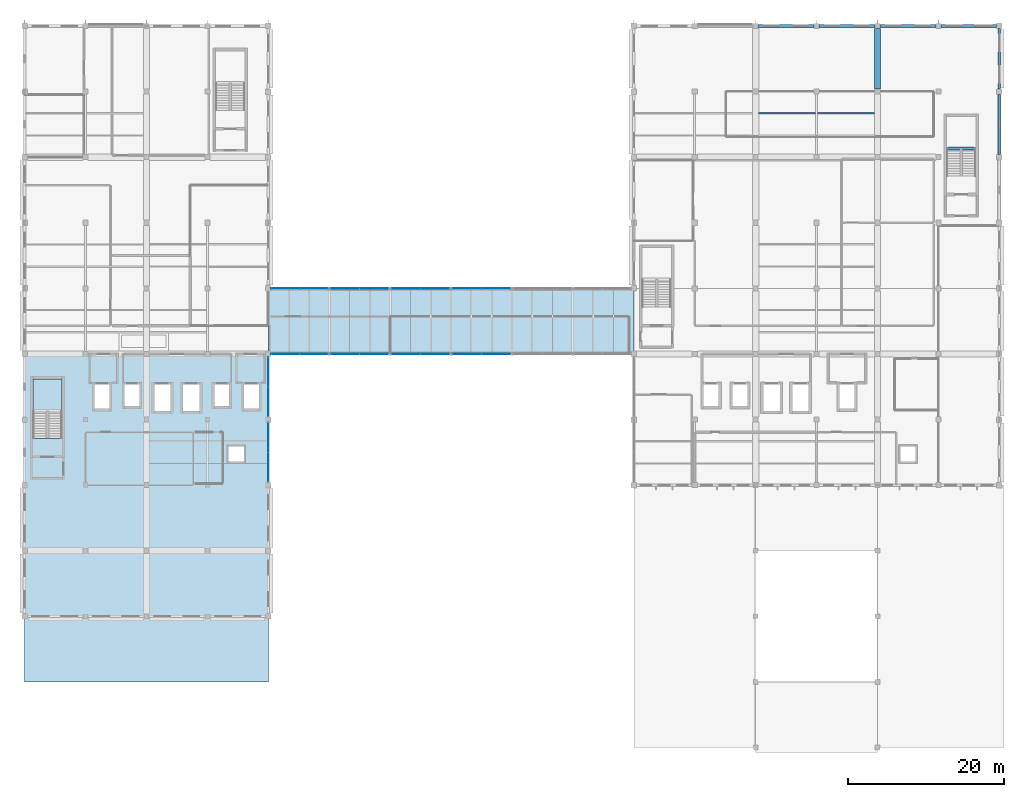
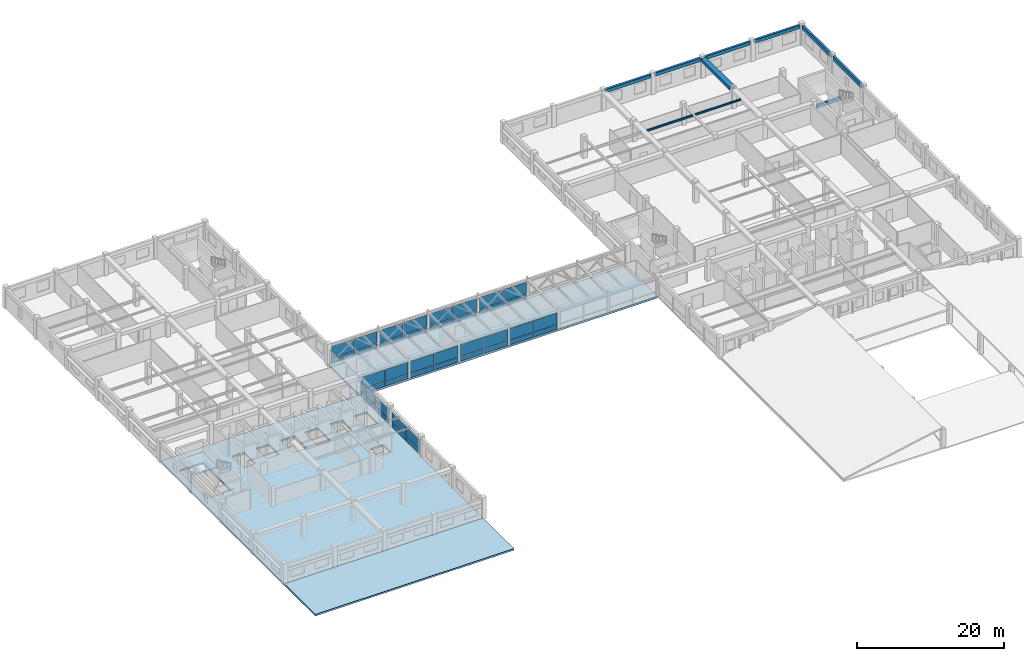
# One storey, part 28 of 49: 40 plates, 10 beams, 4 slabs, 11 elements without a shape of their own.
"""IFC4 building model written with IfcOpenShell, lengths in metres."""

from ifc_helpers import new_model, si_unit, direction, frame, origin, origin_2d, place, context, subcontext, project, spatial, polyline, rectangle, i_section, outline, extrude, material, layer, layer_set, material_profile, profile_set, type_object, element, aggregate, save


model = new_model("IFC4")

# Units and contexts
model_context = context("Model", 3, precision=1e-05, world=origin(), true_north=direction((0.0, 1.0)))
body_context = subcontext(model_context, "Body", "Model", "MODEL_VIEW")
ifc_project = project(units=[si_unit("LENGTHUNIT", "METRE"), si_unit("AREAUNIT", "SQUARE_METRE"), si_unit("VOLUMEUNIT", "CUBIC_METRE"), si_unit("PLANEANGLEUNIT", "RADIAN"), si_unit("MASSUNIT", "GRAM", prefix="KILO"), si_unit("THERMODYNAMICTEMPERATUREUNIT", "KELVIN"), si_unit("POWERUNIT", "WATT")], contexts=[model_context])

# Site, building, storey
site_placement = place(None, origin())
site = spatial("IfcSite", under=ifc_project, at=site_placement, CompositionType="ELEMENT")
building_placement = place(site_placement, origin())
building = spatial("IfcBuilding", under=site, at=building_placement, Name="Srebrne Nadtorze General Hospital", CompositionType="ELEMENT")
storey_placement = place(building_placement, frame((0.0, 0.0, 26.10009765625)))
storey = spatial("IfcBuildingStorey", under=building, at=storey_placement, Name="L06", CompositionType="ELEMENT", Elevation=26.10009765625)

# Beams
ifc_material_1 = material(Name="Steel S355J2", Category="steel")
ifc_material_profile_1 = material_profile(ifc_material_1, i_section(OverallWidth=0.159912109375, OverallDepth=0.330078125, WebThickness=0.007568359375, FlangeThickness=0.011474609375, FilletRadius=0.01806640625, at=origin_2d()), Name="IPE-330")
ifc_profile_set_1 = profile_set([ifc_material_profile_1], Name="Steel S355J2")
beam_type_1 = type_object("IfcBeamType", Name="Deck joist IPE 330", PredefinedType="JOIST", material=ifc_profile_set_1)
beam_1_placement = place(storey_placement, frame((117.39501953125, 81.22802734375, 3.135009765625), z_axis=(1.0, 0.0, 0.0), x_axis=(0.0, 1.0, 0.0)))
element("IfcBeam", 1, at=beam_1_placement, inside=storey, type_object=beam_type_1, Name="Interstitial deck joist SJ-L06-0143", PredefinedType="JOIST", context=body_context, shape_type="SweptSolid", body=[
    extrude(i_section(OverallWidth=0.159912109375, OverallDepth=0.330078125, WebThickness=0.007568359375, FlangeThickness=0.011474609375, FilletRadius=0.01806640625, at=origin_2d()), origin(), (0.0, 0.0, 1.0), 7.27001953125),
])
ifc_material_2 = material(Name="Concrete C35/45", Category="concrete")
ifc_material_profile_2 = material_profile(ifc_material_2, rectangle(XDim=0.35009765625, YDim=0.64990234375, at=origin_2d()), Name="RC-BM-350x650")
ifc_profile_set_2 = profile_set([ifc_material_profile_2], Name="Concrete C35/45")
beam_type_2 = type_object("IfcBeamType", Name="Edge beam RC 350x650", PredefinedType="BEAM", material=ifc_profile_set_2)
for number, where, z_axis, x_axis, name in (
    (2, (148.199951171875, 75.949951171875, 2.974853515625), (0.0, 1.0, 0.0), (-1.0, 0.0, 0.0), "Beam BM-L06-Y-1247"),
    (3, (148.199951171875, 84.35009765625, 2.974853515625), (0.0, 1.0, 0.0), (-1.0, 0.0, 0.0), "Beam BM-L06-Y-1248"),
):
    element("IfcBeam", number, at=place(storey_placement, frame(where, z_axis=z_axis, x_axis=x_axis)), inside=storey, type_object=beam_type_2, Name=name, PredefinedType="BEAM", context=body_context, shape_type="SweptSolid", body=[
        extrude(rectangle(XDim=0.35009765625, YDim=0.64990234375, at=origin_2d()), origin(), (0.0, 0.0, 1.0), 7.699951171875),
    ])
ifc_material_3 = material(Name="Concrete C40/50", Category="concrete")
ifc_material_profile_3 = material_profile(ifc_material_3, rectangle(XDim=0.800048828125, YDim=0.5, at=origin_2d()), Name="RC-BM-800x500")
ifc_profile_set_3 = profile_set([ifc_material_profile_3], Name="Concrete C40/50")
beam_type_3 = type_object("IfcBeamType", Name="Primary beam RC 800x500", PredefinedType="BEAM", material=ifc_profile_set_3)
beam_2_placement = place(storey_placement, frame((132.60009765625, 84.324951171875, 3.0498046875), z_axis=(0.0, 1.0, 0.0), x_axis=(-1.0, 0.0, 0.0)))
element("IfcBeam", 4, at=beam_2_placement, inside=storey, type_object=beam_type_3, Name="Beam BM-L06-Y-1241", PredefinedType="BEAM", context=body_context, shape_type="SweptSolid", body=[
    extrude(rectangle(XDim=0.800048828125, YDim=0.5, at=origin_2d()), origin(), (0.0, 0.0, 1.0), 7.75),
])
ifc_material_4 = material(Name="Steel S355J2", Category="steel")
ifc_material_profile_4 = material_profile(ifc_material_4, i_section(OverallWidth=0.14990234375, OverallDepth=0.300048828125, WebThickness=0.007080078125, FlangeThickness=0.0107421875, FilletRadius=0.014892578125, at=origin_2d()), Name="IPE-300")
ifc_profile_set_4 = profile_set([ifc_material_profile_4], Name="Steel S355J2")
beam_type_4 = type_object("IfcBeamType", Name="Secondary joist IPE 300", PredefinedType="JOIST", material=ifc_profile_set_4)
beam_3_placement = place(storey_placement, frame((124.93505859375, 81.22802734375, 3.14990234375), z_axis=(1.0, 0.0, 0.0), x_axis=(0.0, 1.0, 0.0)))
element("IfcBeam", 5, at=beam_3_placement, inside=storey, type_object=beam_type_4, Name="Interstitial deck joist SJ-L06-0151", PredefinedType="JOIST", context=body_context, shape_type="SweptSolid", body=[
    extrude(i_section(OverallWidth=0.14990234375, OverallDepth=0.300048828125, WebThickness=0.007080078125, FlangeThickness=0.0107421875, FilletRadius=0.014892578125, at=origin_2d()), origin(), (0.0, 0.0, 1.0), 7.27001953125),
])
ifc_material_5 = material(Name="Concrete C35/45", Category="concrete")
ifc_material_profile_5 = material_profile(ifc_material_5, rectangle(XDim=0.35009765625, YDim=0.550048828125, at=origin_2d()), Name="RC-BM-350x550")
ifc_profile_set_5 = profile_set([ifc_material_profile_5], Name="Concrete C35/45")
beam_type_5 = type_object("IfcBeamType", Name="Spandrel lintel beam RC 350x550", PredefinedType="LINTEL", material=ifc_profile_set_5)
beam_4_placement = place(storey_placement, frame((117.324951171875, 92.39990234375, 3.02490234375), z_axis=(1.0, 0.0, 0.0), x_axis=(0.0, 1.0, 0.0)))
element("IfcBeam", 6, at=beam_4_placement, inside=storey, type_object=beam_type_5, Name="Beam BM-L06-X-1187", PredefinedType="LINTEL", context=body_context, shape_type="SweptSolid", body=[
    extrude(rectangle(XDim=0.35009765625, YDim=0.550048828125, at=origin_2d()), origin(), (0.0, 0.0, 1.0), 7.150146484375),
])
for number, where, z_axis, x_axis, name in (
    (7, (125.125, 92.39990234375, 3.02490234375), (1.0, 0.0, 0.0), (0.0, 1.0, 0.0), "Beam BM-L06-X-1188"),
    (8, (132.925048828125, 92.39990234375, 3.02490234375), (1.0, 0.0, 0.0), (0.0, 1.0, 0.0), "Beam BM-L06-X-1189"),
):
    element("IfcBeam", number, at=place(storey_placement, frame(where, z_axis=z_axis, x_axis=x_axis)), inside=storey, type_object=beam_type_5, Name=name, PredefinedType="LINTEL", context=body_context, shape_type="SweptSolid", body=[
        extrude(rectangle(XDim=0.35009765625, YDim=0.550048828125, at=origin_2d()), origin(), (0.0, 0.0, 1.0), 7.14990234375),
    ])
beam_5_placement = place(storey_placement, frame((140.72509765625, 92.39990234375, 3.02490234375), z_axis=(1.0, 0.0, 0.0), x_axis=(0.0, 1.0, 0.0)))
element("IfcBeam", 9, at=beam_5_placement, inside=storey, type_object=beam_type_5, Name="Beam BM-L06-X-1190", PredefinedType="LINTEL", context=body_context, shape_type="SweptSolid", body=[
    extrude(rectangle(XDim=0.35009765625, YDim=0.550048828125, at=origin_2d()), origin(), (0.0, 0.0, 1.0), 7.125),
])
beam_6_placement = place(storey_placement, frame((141.449951171875, 76.719970703125, 1.52490234375), z_axis=(1.0, 0.0, 0.0), x_axis=(0.0, 1.0, 0.0)))
element("IfcBeam", 10, at=beam_6_placement, inside=storey, type_object=beam_type_5, Name="Stair landing header beam ST-04 L06", PredefinedType="LINTEL", context=body_context, shape_type="SweptSolid", body=[
    extrude(rectangle(XDim=0.35009765625, YDim=0.550048828125, at=origin_2d()), origin(), (0.0, 0.0, 1.0), 3.75),
])

# Curtain wall, plates
ifc_material_6 = material(Name="Anodised Aluminium", Category="aluminium")
curtain_wall_type_1 = type_object("IfcCurtainWallType", Name="Bridge curtain wall 7300x2850", PredefinedType="NOTDEFINED", material=ifc_material_6)
curtain_wall_1_placement = place(storey_placement, origin())
curtain_wall_1 = element("IfcCurtainWall", 11, at=curtain_wall_1_placement, inside=storey, type_object=curtain_wall_type_1, Name="Curtain wall CW-138", PredefinedType="NOTDEFINED")
ifc_material_7 = material(Name="Triple Low-E Glazing", Category="glass")
ifc_layer_1 = layer(ifc_material_7, 0.050048828125)
ifc_layer_set_1 = layer_set([ifc_layer_1], Name="Triple Low-E Glazing")
plate_type = type_object("IfcPlateType", Name="Glazed curtain panel 50", PredefinedType="CURTAIN_PANEL", material=ifc_layer_set_1)
plate_1_placement = place(storey_placement, frame((56.7900390625, 50.39990234375, 0.06005859375), z_axis=(0.0, 0.0, 1.0), x_axis=(1.0, 0.0, 0.0)))
plate_1 = element("IfcPlate", 12, at=plate_1_placement, type_object=plate_type, Name="CW-138 panel 1.1", PredefinedType="CURTAIN_PANEL", context=body_context, shape_type="SweptSolid", body=[
    extrude(rectangle(XDim=3.56005859375, YDim=0.050048828125, at=origin_2d()), origin(), (0.0, 0.0, 1.0), 0.760009765625),
])
plate_2_placement = place(storey_placement, frame((56.7900390625, 50.39990234375, 0.8798828125), z_axis=(0.0, 0.0, 1.0), x_axis=(1.0, 0.0, 0.0)))
plate_2 = element("IfcPlate", 13, at=plate_2_placement, type_object=plate_type, Name="CW-138 panel 1.2", PredefinedType="CURTAIN_PANEL", context=body_context, shape_type="SweptSolid", body=[
    extrude(rectangle(XDim=3.56005859375, YDim=0.050048828125, at=origin_2d()), origin(), (0.0, 0.0, 1.0), 1.909912109375),
])
plate_3_placement = place(storey_placement, frame((60.409912109375, 50.39990234375, 0.06005859375), z_axis=(0.0, 0.0, 1.0), x_axis=(1.0, 0.0, 0.0)))
plate_3 = element("IfcPlate", 14, at=plate_3_placement, type_object=plate_type, Name="CW-138 panel 2.1", PredefinedType="CURTAIN_PANEL", context=body_context, shape_type="SweptSolid", body=[
    extrude(rectangle(XDim=3.56005859375, YDim=0.050048828125, at=origin_2d()), origin(), (0.0, 0.0, 1.0), 0.760009765625),
])
plate_4_placement = place(storey_placement, frame((60.409912109375, 50.39990234375, 0.8798828125), z_axis=(0.0, 0.0, 1.0), x_axis=(1.0, 0.0, 0.0)))
plate_4 = element("IfcPlate", 15, at=plate_4_placement, type_object=plate_type, Name="CW-138 panel 2.2", PredefinedType="CURTAIN_PANEL", context=body_context, shape_type="SweptSolid", body=[
    extrude(rectangle(XDim=3.56005859375, YDim=0.050048828125, at=origin_2d()), origin(), (0.0, 0.0, 1.0), 1.909912109375),
])
aggregate(curtain_wall_1, [plate_1, plate_2, plate_3, plate_4])

ifc_material_8 = material(Name="Anodised Aluminium", Category="aluminium")
curtain_wall_type_2 = type_object("IfcCurtainWallType", Name="Bridge curtain wall 7500x2850", PredefinedType="NOTDEFINED", material=ifc_material_8)
curtain_wall_2_placement = place(storey_placement, origin())
curtain_wall_2 = element("IfcCurtainWall", 16, at=curtain_wall_2_placement, inside=storey, type_object=curtain_wall_type_2, Name="Curtain wall CW-139", PredefinedType="NOTDEFINED")
plate_5_placement = place(storey_placement, frame((64.441162109375, 50.39990234375, 0.06494140625), z_axis=(0.0, 0.0, 1.0), x_axis=(1.0, 0.0, 0.0)))
plate_5 = element("IfcPlate", 17, at=plate_5_placement, type_object=plate_type, Name="CW-139 panel 1.1", PredefinedType="CURTAIN_PANEL", context=body_context, shape_type="SweptSolid", body=[
    extrude(rectangle(XDim=3.652587890625, YDim=0.050048828125, at=origin_2d()), origin(), (0.0, 0.0, 1.0), 0.75244140625),
])
plate_6_placement = place(storey_placement, frame((64.441162109375, 50.39990234375, 0.88232421875), z_axis=(0.0, 0.0, 1.0), x_axis=(1.0, 0.0, 0.0)))
plate_6 = element("IfcPlate", 18, at=plate_6_placement, type_object=plate_type, Name="CW-139 panel 1.2", PredefinedType="CURTAIN_PANEL", context=body_context, shape_type="SweptSolid", body=[
    extrude(rectangle(XDim=3.652587890625, YDim=0.050048828125, at=origin_2d()), origin(), (0.0, 0.0, 1.0), 1.902587890625),
])
plate_7_placement = place(storey_placement, frame((68.15869140625, 50.39990234375, 0.06494140625), z_axis=(0.0, 0.0, 1.0), x_axis=(1.0, 0.0, 0.0)))
plate_7 = element("IfcPlate", 19, at=plate_7_placement, type_object=plate_type, Name="CW-139 panel 2.1", PredefinedType="CURTAIN_PANEL", context=body_context, shape_type="SweptSolid", body=[
    extrude(rectangle(XDim=3.652587890625, YDim=0.050048828125, at=origin_2d()), origin(), (0.0, 0.0, 1.0), 0.75244140625),
])
plate_8_placement = place(storey_placement, frame((68.15869140625, 50.39990234375, 0.88232421875), z_axis=(0.0, 0.0, 1.0), x_axis=(1.0, 0.0, 0.0)))
plate_8 = element("IfcPlate", 20, at=plate_8_placement, type_object=plate_type, Name="CW-139 panel 2.2", PredefinedType="CURTAIN_PANEL", context=body_context, shape_type="SweptSolid", body=[
    extrude(rectangle(XDim=3.652587890625, YDim=0.050048828125, at=origin_2d()), origin(), (0.0, 0.0, 1.0), 1.902587890625),
])
aggregate(curtain_wall_2, [plate_5, plate_6, plate_7, plate_8])

curtain_wall_3_placement = place(storey_placement, origin())
curtain_wall_3 = element("IfcCurtainWall", 21, at=curtain_wall_3_placement, inside=storey, type_object=curtain_wall_type_2, Name="Curtain wall CW-140", PredefinedType="NOTDEFINED")
plate_9_placement = place(storey_placement, frame((72.239990234375, 50.39990234375, 0.06005859375), z_axis=(0.0, 0.0, 1.0), x_axis=(1.0, 0.0, 0.0)))
plate_9 = element("IfcPlate", 22, at=plate_9_placement, type_object=plate_type, Name="CW-140 panel 1.1", PredefinedType="CURTAIN_PANEL", context=body_context, shape_type="SweptSolid", body=[
    extrude(rectangle(XDim=3.659912109375, YDim=0.050048828125, at=origin_2d()), origin(), (0.0, 0.0, 1.0), 0.760009765625),
])
plate_10_placement = place(storey_placement, frame((72.239990234375, 50.39990234375, 0.8798828125), z_axis=(0.0, 0.0, 1.0), x_axis=(1.0, 0.0, 0.0)))
plate_10 = element("IfcPlate", 23, at=plate_10_placement, type_object=plate_type, Name="CW-140 panel 1.2", PredefinedType="CURTAIN_PANEL", context=body_context, shape_type="SweptSolid", body=[
    extrude(rectangle(XDim=3.659912109375, YDim=0.050048828125, at=origin_2d()), origin(), (0.0, 0.0, 1.0), 1.909912109375),
])
plate_11_placement = place(storey_placement, frame((75.9599609375, 50.39990234375, 0.06005859375), z_axis=(0.0, 0.0, 1.0), x_axis=(1.0, 0.0, 0.0)))
plate_11 = element("IfcPlate", 24, at=plate_11_placement, type_object=plate_type, Name="CW-140 panel 2.1", PredefinedType="CURTAIN_PANEL", context=body_context, shape_type="SweptSolid", body=[
    extrude(rectangle(XDim=3.659912109375, YDim=0.050048828125, at=origin_2d()), origin(), (0.0, 0.0, 1.0), 0.760009765625),
])
plate_12_placement = place(storey_placement, frame((75.9599609375, 50.39990234375, 0.8798828125), z_axis=(0.0, 0.0, 1.0), x_axis=(1.0, 0.0, 0.0)))
plate_12 = element("IfcPlate", 25, at=plate_12_placement, type_object=plate_type, Name="CW-140 panel 2.2", PredefinedType="CURTAIN_PANEL", context=body_context, shape_type="SweptSolid", body=[
    extrude(rectangle(XDim=3.659912109375, YDim=0.050048828125, at=origin_2d()), origin(), (0.0, 0.0, 1.0), 1.909912109375),
])
aggregate(curtain_wall_3, [plate_9, plate_10, plate_11, plate_12])

curtain_wall_4_placement = place(storey_placement, origin())
curtain_wall_4 = element("IfcCurtainWall", 26, at=curtain_wall_4_placement, inside=storey, type_object=curtain_wall_type_2, Name="Curtain wall CW-141", PredefinedType="NOTDEFINED")
plate_13_placement = place(storey_placement, frame((80.041259765625, 50.39990234375, 0.06494140625), z_axis=(0.0, 0.0, 1.0), x_axis=(1.0, 0.0, 0.0)))
plate_13 = element("IfcPlate", 27, at=plate_13_placement, type_object=plate_type, Name="CW-141 panel 1.1", PredefinedType="CURTAIN_PANEL", context=body_context, shape_type="SweptSolid", body=[
    extrude(rectangle(XDim=3.652587890625, YDim=0.050048828125, at=origin_2d()), origin(), (0.0, 0.0, 1.0), 0.75244140625),
])
plate_14_placement = place(storey_placement, frame((80.041259765625, 50.39990234375, 0.88232421875), z_axis=(0.0, 0.0, 1.0), x_axis=(1.0, 0.0, 0.0)))
plate_14 = element("IfcPlate", 28, at=plate_14_placement, type_object=plate_type, Name="CW-141 panel 1.2", PredefinedType="CURTAIN_PANEL", context=body_context, shape_type="SweptSolid", body=[
    extrude(rectangle(XDim=3.652587890625, YDim=0.050048828125, at=origin_2d()), origin(), (0.0, 0.0, 1.0), 1.902587890625),
])
plate_15_placement = place(storey_placement, frame((83.7587890625, 50.39990234375, 0.06494140625), z_axis=(0.0, 0.0, 1.0), x_axis=(1.0, 0.0, 0.0)))
plate_15 = element("IfcPlate", 29, at=plate_15_placement, type_object=plate_type, Name="CW-141 panel 2.1", PredefinedType="CURTAIN_PANEL", context=body_context, shape_type="SweptSolid", body=[
    extrude(rectangle(XDim=3.652587890625, YDim=0.050048828125, at=origin_2d()), origin(), (0.0, 0.0, 1.0), 0.75244140625),
])
plate_16_placement = place(storey_placement, frame((83.7587890625, 50.39990234375, 0.88232421875), z_axis=(0.0, 0.0, 1.0), x_axis=(1.0, 0.0, 0.0)))
plate_16 = element("IfcPlate", 30, at=plate_16_placement, type_object=plate_type, Name="CW-141 panel 2.2", PredefinedType="CURTAIN_PANEL", context=body_context, shape_type="SweptSolid", body=[
    extrude(rectangle(XDim=3.652587890625, YDim=0.050048828125, at=origin_2d()), origin(), (0.0, 0.0, 1.0), 1.902587890625),
])
aggregate(curtain_wall_4, [plate_13, plate_14, plate_15, plate_16])

curtain_wall_5_placement = place(storey_placement, origin())
curtain_wall_5 = element("IfcCurtainWall", 31, at=curtain_wall_5_placement, inside=storey, type_object=curtain_wall_type_1, Name="Curtain wall CW-144", PredefinedType="NOTDEFINED")
plate_17_placement = place(storey_placement, frame((56.7900390625, 58.800048828125, 0.06005859375), z_axis=(0.0, 0.0, 1.0), x_axis=(1.0, 0.0, 0.0)))
plate_17 = element("IfcPlate", 32, at=plate_17_placement, type_object=plate_type, Name="CW-144 panel 1.1", PredefinedType="CURTAIN_PANEL", context=body_context, shape_type="SweptSolid", body=[
    extrude(rectangle(XDim=3.56005859375, YDim=0.050048828125, at=origin_2d()), origin(), (0.0, 0.0, 1.0), 0.760009765625),
])
plate_18_placement = place(storey_placement, frame((56.7900390625, 58.800048828125, 0.8798828125), z_axis=(0.0, 0.0, 1.0), x_axis=(1.0, 0.0, 0.0)))
plate_18 = element("IfcPlate", 33, at=plate_18_placement, type_object=plate_type, Name="CW-144 panel 1.2", PredefinedType="CURTAIN_PANEL", context=body_context, shape_type="SweptSolid", body=[
    extrude(rectangle(XDim=3.56005859375, YDim=0.050048828125, at=origin_2d()), origin(), (0.0, 0.0, 1.0), 1.909912109375),
])
plate_19_placement = place(storey_placement, frame((60.409912109375, 58.800048828125, 0.06005859375), z_axis=(0.0, 0.0, 1.0), x_axis=(1.0, 0.0, 0.0)))
plate_19 = element("IfcPlate", 34, at=plate_19_placement, type_object=plate_type, Name="CW-144 panel 2.1", PredefinedType="CURTAIN_PANEL", context=body_context, shape_type="SweptSolid", body=[
    extrude(rectangle(XDim=3.56005859375, YDim=0.050048828125, at=origin_2d()), origin(), (0.0, 0.0, 1.0), 0.760009765625),
])
plate_20_placement = place(storey_placement, frame((60.409912109375, 58.800048828125, 0.8798828125), z_axis=(0.0, 0.0, 1.0), x_axis=(1.0, 0.0, 0.0)))
plate_20 = element("IfcPlate", 35, at=plate_20_placement, type_object=plate_type, Name="CW-144 panel 2.2", PredefinedType="CURTAIN_PANEL", context=body_context, shape_type="SweptSolid", body=[
    extrude(rectangle(XDim=3.56005859375, YDim=0.050048828125, at=origin_2d()), origin(), (0.0, 0.0, 1.0), 1.909912109375),
])
aggregate(curtain_wall_5, [plate_17, plate_18, plate_19, plate_20])

curtain_wall_6_placement = place(storey_placement, origin())
curtain_wall_6 = element("IfcCurtainWall", 36, at=curtain_wall_6_placement, inside=storey, type_object=curtain_wall_type_2, Name="Curtain wall CW-145", PredefinedType="NOTDEFINED")
plate_21_placement = place(storey_placement, frame((64.441162109375, 58.800048828125, 0.06494140625), z_axis=(0.0, 0.0, 1.0), x_axis=(1.0, 0.0, 0.0)))
plate_21 = element("IfcPlate", 37, at=plate_21_placement, type_object=plate_type, Name="CW-145 panel 1.1", PredefinedType="CURTAIN_PANEL", context=body_context, shape_type="SweptSolid", body=[
    extrude(rectangle(XDim=3.652587890625, YDim=0.050048828125, at=origin_2d()), origin(), (0.0, 0.0, 1.0), 0.75244140625),
])
plate_22_placement = place(storey_placement, frame((64.441162109375, 58.800048828125, 0.88232421875), z_axis=(0.0, 0.0, 1.0), x_axis=(1.0, 0.0, 0.0)))
plate_22 = element("IfcPlate", 38, at=plate_22_placement, type_object=plate_type, Name="CW-145 panel 1.2", PredefinedType="CURTAIN_PANEL", context=body_context, shape_type="SweptSolid", body=[
    extrude(rectangle(XDim=3.652587890625, YDim=0.050048828125, at=origin_2d()), origin(), (0.0, 0.0, 1.0), 1.902587890625),
])
plate_23_placement = place(storey_placement, frame((68.15869140625, 58.800048828125, 0.06494140625), z_axis=(0.0, 0.0, 1.0), x_axis=(1.0, 0.0, 0.0)))
plate_23 = element("IfcPlate", 39, at=plate_23_placement, type_object=plate_type, Name="CW-145 panel 2.1", PredefinedType="CURTAIN_PANEL", context=body_context, shape_type="SweptSolid", body=[
    extrude(rectangle(XDim=3.652587890625, YDim=0.050048828125, at=origin_2d()), origin(), (0.0, 0.0, 1.0), 0.75244140625),
])
plate_24_placement = place(storey_placement, frame((68.15869140625, 58.800048828125, 0.88232421875), z_axis=(0.0, 0.0, 1.0), x_axis=(1.0, 0.0, 0.0)))
plate_24 = element("IfcPlate", 40, at=plate_24_placement, type_object=plate_type, Name="CW-145 panel 2.2", PredefinedType="CURTAIN_PANEL", context=body_context, shape_type="SweptSolid", body=[
    extrude(rectangle(XDim=3.652587890625, YDim=0.050048828125, at=origin_2d()), origin(), (0.0, 0.0, 1.0), 1.902587890625),
])
aggregate(curtain_wall_6, [plate_21, plate_22, plate_23, plate_24])

curtain_wall_7_placement = place(storey_placement, origin())
curtain_wall_7 = element("IfcCurtainWall", 41, at=curtain_wall_7_placement, inside=storey, type_object=curtain_wall_type_2, Name="Curtain wall CW-146", PredefinedType="NOTDEFINED")
plate_25_placement = place(storey_placement, frame((72.239990234375, 58.800048828125, 0.06005859375), z_axis=(0.0, 0.0, 1.0), x_axis=(1.0, 0.0, 0.0)))
plate_25 = element("IfcPlate", 42, at=plate_25_placement, type_object=plate_type, Name="CW-146 panel 1.1", PredefinedType="CURTAIN_PANEL", context=body_context, shape_type="SweptSolid", body=[
    extrude(rectangle(XDim=3.659912109375, YDim=0.050048828125, at=origin_2d()), origin(), (0.0, 0.0, 1.0), 0.760009765625),
])
plate_26_placement = place(storey_placement, frame((72.239990234375, 58.800048828125, 0.8798828125), z_axis=(0.0, 0.0, 1.0), x_axis=(1.0, 0.0, 0.0)))
plate_26 = element("IfcPlate", 43, at=plate_26_placement, type_object=plate_type, Name="CW-146 panel 1.2", PredefinedType="CURTAIN_PANEL", context=body_context, shape_type="SweptSolid", body=[
    extrude(rectangle(XDim=3.659912109375, YDim=0.050048828125, at=origin_2d()), origin(), (0.0, 0.0, 1.0), 1.909912109375),
])
plate_27_placement = place(storey_placement, frame((75.9599609375, 58.800048828125, 0.06005859375), z_axis=(0.0, 0.0, 1.0), x_axis=(1.0, 0.0, 0.0)))
plate_27 = element("IfcPlate", 44, at=plate_27_placement, type_object=plate_type, Name="CW-146 panel 2.1", PredefinedType="CURTAIN_PANEL", context=body_context, shape_type="SweptSolid", body=[
    extrude(rectangle(XDim=3.659912109375, YDim=0.050048828125, at=origin_2d()), origin(), (0.0, 0.0, 1.0), 0.760009765625),
])
plate_28_placement = place(storey_placement, frame((75.9599609375, 58.800048828125, 0.8798828125), z_axis=(0.0, 0.0, 1.0), x_axis=(1.0, 0.0, 0.0)))
plate_28 = element("IfcPlate", 45, at=plate_28_placement, type_object=plate_type, Name="CW-146 panel 2.2", PredefinedType="CURTAIN_PANEL", context=body_context, shape_type="SweptSolid", body=[
    extrude(rectangle(XDim=3.659912109375, YDim=0.050048828125, at=origin_2d()), origin(), (0.0, 0.0, 1.0), 1.909912109375),
])
aggregate(curtain_wall_7, [plate_25, plate_26, plate_27, plate_28])

curtain_wall_8_placement = place(storey_placement, origin())
curtain_wall_8 = element("IfcCurtainWall", 46, at=curtain_wall_8_placement, inside=storey, type_object=curtain_wall_type_2, Name="Curtain wall CW-147", PredefinedType="NOTDEFINED")
plate_29_placement = place(storey_placement, frame((80.041259765625, 58.800048828125, 0.06494140625), z_axis=(0.0, 0.0, 1.0), x_axis=(1.0, 0.0, 0.0)))
plate_29 = element("IfcPlate", 47, at=plate_29_placement, type_object=plate_type, Name="CW-147 panel 1.1", PredefinedType="CURTAIN_PANEL", context=body_context, shape_type="SweptSolid", body=[
    extrude(rectangle(XDim=3.652587890625, YDim=0.050048828125, at=origin_2d()), origin(), (0.0, 0.0, 1.0), 0.75244140625),
])
plate_30_placement = place(storey_placement, frame((80.041259765625, 58.800048828125, 0.88232421875), z_axis=(0.0, 0.0, 1.0), x_axis=(1.0, 0.0, 0.0)))
plate_30 = element("IfcPlate", 48, at=plate_30_placement, type_object=plate_type, Name="CW-147 panel 1.2", PredefinedType="CURTAIN_PANEL", context=body_context, shape_type="SweptSolid", body=[
    extrude(rectangle(XDim=3.652587890625, YDim=0.050048828125, at=origin_2d()), origin(), (0.0, 0.0, 1.0), 1.902587890625),
])
plate_31_placement = place(storey_placement, frame((83.7587890625, 58.800048828125, 0.06494140625), z_axis=(0.0, 0.0, 1.0), x_axis=(1.0, 0.0, 0.0)))
plate_31 = element("IfcPlate", 49, at=plate_31_placement, type_object=plate_type, Name="CW-147 panel 2.1", PredefinedType="CURTAIN_PANEL", context=body_context, shape_type="SweptSolid", body=[
    extrude(rectangle(XDim=3.652587890625, YDim=0.050048828125, at=origin_2d()), origin(), (0.0, 0.0, 1.0), 0.75244140625),
])
plate_32_placement = place(storey_placement, frame((83.7587890625, 58.800048828125, 0.88232421875), z_axis=(0.0, 0.0, 1.0), x_axis=(1.0, 0.0, 0.0)))
plate_32 = element("IfcPlate", 50, at=plate_32_placement, type_object=plate_type, Name="CW-147 panel 2.2", PredefinedType="CURTAIN_PANEL", context=body_context, shape_type="SweptSolid", body=[
    extrude(rectangle(XDim=3.652587890625, YDim=0.050048828125, at=origin_2d()), origin(), (0.0, 0.0, 1.0), 1.902587890625),
])
aggregate(curtain_wall_8, [plate_29, plate_30, plate_31, plate_32])

ifc_material_9 = material(Name="Anodised Aluminium", Category="aluminium")
curtain_wall_type_3 = type_object("IfcCurtainWallType", Name="Unitised curtain wall 7700x2650", PredefinedType="NOTDEFINED", material=ifc_material_9)
curtain_wall_9_placement = place(storey_placement, origin())
curtain_wall_9 = element("IfcCurtainWall", 51, at=curtain_wall_9_placement, inside=storey, type_object=curtain_wall_type_3, Name="Curtain wall CW-150", PredefinedType="NOTDEFINED")
plate_33_placement = place(storey_placement, frame((54.60009765625, 35.889892578125, 0.06005859375), z_axis=(0.0, 0.0, 1.0), x_axis=(0.0, 1.0, 0.0)))
plate_33 = element("IfcPlate", 52, at=plate_33_placement, type_object=plate_type, Name="CW-150 panel 1.1", PredefinedType="CURTAIN_PANEL", context=body_context, shape_type="SweptSolid", body=[
    extrude(rectangle(XDim=3.760009765625, YDim=0.050048828125, at=origin_2d()), origin(), (0.0, 0.0, 1.0), 0.760009765625),
])
plate_34_placement = place(storey_placement, frame((54.60009765625, 35.889892578125, 0.8798828125), z_axis=(0.0, 0.0, 1.0), x_axis=(0.0, 1.0, 0.0)))
plate_34 = element("IfcPlate", 53, at=plate_34_placement, type_object=plate_type, Name="CW-150 panel 1.2", PredefinedType="CURTAIN_PANEL", context=body_context, shape_type="SweptSolid", body=[
    extrude(rectangle(XDim=3.760009765625, YDim=0.050048828125, at=origin_2d()), origin(), (0.0, 0.0, 1.0), 1.7099609375),
])
plate_35_placement = place(storey_placement, frame((54.60009765625, 39.7099609375, 0.06005859375), z_axis=(0.0, 0.0, 1.0), x_axis=(0.0, 1.0, 0.0)))
plate_35 = element("IfcPlate", 54, at=plate_35_placement, type_object=plate_type, Name="CW-150 panel 2.1", PredefinedType="CURTAIN_PANEL", context=body_context, shape_type="SweptSolid", body=[
    extrude(rectangle(XDim=3.760009765625, YDim=0.050048828125, at=origin_2d()), origin(), (0.0, 0.0, 1.0), 0.760009765625),
])
plate_36_placement = place(storey_placement, frame((54.60009765625, 39.7099609375, 0.8798828125), z_axis=(0.0, 0.0, 1.0), x_axis=(0.0, 1.0, 0.0)))
plate_36 = element("IfcPlate", 55, at=plate_36_placement, type_object=plate_type, Name="CW-150 panel 2.2", PredefinedType="CURTAIN_PANEL", context=body_context, shape_type="SweptSolid", body=[
    extrude(rectangle(XDim=3.760009765625, YDim=0.050048828125, at=origin_2d()), origin(), (0.0, 0.0, 1.0), 1.7099609375),
])
aggregate(curtain_wall_9, [plate_33, plate_34, plate_35, plate_36])

curtain_wall_10_placement = place(storey_placement, origin())
curtain_wall_10 = element("IfcCurtainWall", 56, at=curtain_wall_10_placement, inside=storey, type_object=curtain_wall_type_3, Name="Curtain wall CW-151", PredefinedType="NOTDEFINED")
plate_37_placement = place(storey_placement, frame((54.60009765625, 44.291259765625, 0.06494140625), z_axis=(0.0, 0.0, 1.0), x_axis=(0.0, 1.0, 0.0)))
plate_37 = element("IfcPlate", 57, at=plate_37_placement, type_object=plate_type, Name="CW-151 panel 1.1", PredefinedType="CURTAIN_PANEL", context=body_context, shape_type="SweptSolid", body=[
    extrude(rectangle(XDim=3.75244140625, YDim=0.050048828125, at=origin_2d()), origin(), (0.0, 0.0, 1.0), 0.75244140625),
])
plate_38_placement = place(storey_placement, frame((54.60009765625, 44.291259765625, 0.88232421875), z_axis=(0.0, 0.0, 1.0), x_axis=(0.0, 1.0, 0.0)))
plate_38 = element("IfcPlate", 58, at=plate_38_placement, type_object=plate_type, Name="CW-151 panel 1.2", PredefinedType="CURTAIN_PANEL", context=body_context, shape_type="SweptSolid", body=[
    extrude(rectangle(XDim=3.75244140625, YDim=0.050048828125, at=origin_2d()), origin(), (0.0, 0.0, 1.0), 1.702392578125),
])
plate_39_placement = place(storey_placement, frame((54.60009765625, 48.108642578125, 0.06494140625), z_axis=(0.0, 0.0, 1.0), x_axis=(0.0, 1.0, 0.0)))
plate_39 = element("IfcPlate", 59, at=plate_39_placement, type_object=plate_type, Name="CW-151 panel 2.1", PredefinedType="CURTAIN_PANEL", context=body_context, shape_type="SweptSolid", body=[
    extrude(rectangle(XDim=3.75244140625, YDim=0.050048828125, at=origin_2d()), origin(), (0.0, 0.0, 1.0), 0.75244140625),
])
plate_40_placement = place(storey_placement, frame((54.60009765625, 48.108642578125, 0.88232421875), z_axis=(0.0, 0.0, 1.0), x_axis=(0.0, 1.0, 0.0)))
plate_40 = element("IfcPlate", 60, at=plate_40_placement, type_object=plate_type, Name="CW-151 panel 2.2", PredefinedType="CURTAIN_PANEL", context=body_context, shape_type="SweptSolid", body=[
    extrude(rectangle(XDim=3.75244140625, YDim=0.050048828125, at=origin_2d()), origin(), (0.0, 0.0, 1.0), 1.702392578125),
])
aggregate(curtain_wall_10, [plate_37, plate_38, plate_39, plate_40])

# Slabs
ifc_material_10 = material(Name="Concrete C35/45", Category="concrete")
ifc_layer_2 = layer(ifc_material_10, 0.280029296875)
ifc_layer_set_2 = layer_set([ifc_layer_2], Name="Concrete C35/45")
slab_type_1 = type_object("IfcSlabType", Name="Interstitial slab 280", PredefinedType="FLOOR", material=ifc_layer_set_2)
slab_1_placement = place(storey_placement, frame((0.0, 0.0, -0.280029296875)))
element("IfcSlab", 61, at=slab_1_placement, inside=storey, type_object=slab_type_1, Name="Suspended floor slab SL-L06-WS", PredefinedType="FLOOR", context=body_context, shape_type="SweptSolid", body=[
    extrude(outline(polyline([(54.60009765625, 16.800048828125), (54.60009765625, 50.39990234375), (23.39990234375, 50.39990234375), (23.39990234375, 16.800048828125), (54.60009765625, 16.800048828125)]), holes=[polyline([(51.5, 36.60009765625), (49.5, 36.60009765625), (49.5, 38.60009765625), (51.5, 38.60009765625), (51.5, 36.60009765625)]), polyline([(28.199951171875, 39.60498046875), (24.449951171875, 39.60498046875), (24.449951171875, 47.199951171875), (28.199951171875, 47.199951171875), (28.199951171875, 39.60498046875)]), polyline([(42.10009765625, 43.110107421875), (40.0, 43.110107421875), (40.0, 46.4599609375), (42.10009765625, 46.4599609375), (42.10009765625, 43.110107421875)]), polyline([(45.800048828125, 43.110107421875), (43.699951171875, 43.110107421875), (43.699951171875, 46.4599609375), (45.800048828125, 46.4599609375), (45.800048828125, 43.110107421875)]), polyline([(34.25, 43.409912109375), (32.35009765625, 43.409912109375), (32.35009765625, 46.4599609375), (34.25, 46.4599609375), (34.25, 43.409912109375)]), polyline([(53.39990234375, 43.409912109375), (51.5, 43.409912109375), (51.5, 46.4599609375), (53.39990234375, 46.4599609375), (53.39990234375, 43.409912109375)]), polyline([(38.10009765625, 43.7099609375), (36.199951171875, 43.7099609375), (36.199951171875, 46.4599609375), (38.10009765625, 46.4599609375), (38.10009765625, 43.7099609375)]), polyline([(49.60009765625, 43.7099609375), (47.699951171875, 43.7099609375), (47.699951171875, 46.4599609375), (49.60009765625, 46.4599609375), (49.60009765625, 43.7099609375)])]), origin(), (0.0, 0.0, 1.0), 0.280029296875),
])
ifc_material_11 = material(Name="Concrete C35/45", Category="concrete")
ifc_layer_3 = layer(ifc_material_11, 0.27001953125)
ifc_layer_set_3 = layer_set([ifc_layer_3], Name="Concrete C35/45")
slab_type_2 = type_object("IfcSlabType", Name="Main roof slab 270", PredefinedType="ROOF", material=ifc_layer_set_3)
slab_2_placement = place(storey_placement, frame((0.0, 0.0, -0.27001953125)))
element("IfcSlab", 62, at=slab_2_placement, inside=storey, type_object=slab_type_2, Name="Volume ceiling roof slab RF-L05-01", PredefinedType="ROOF", context=body_context, shape_type="SweptSolid", body=[
    extrude(outline(polyline([(54.60009765625, 16.800048828125), (23.39990234375, 16.800048828125), (23.39990234375, 8.39990234375), (54.60009765625, 8.39990234375), (54.60009765625, 16.800048828125)])), origin(), (0.0, 0.0, 1.0), 0.27001953125),
])

# Stair, slab
ifc_material_12 = material(Name="Concrete C35/45", Category="concrete")
stair_type = type_object("IfcStairType", Name="Dog-leg escape stair 360", PredefinedType="HALF_TURN_STAIR", material=ifc_material_12)
stair_placement = place(storey_placement, origin())
stair = element("IfcStair", 63, at=stair_placement, inside=storey, type_object=stair_type, Name="Escape stair ST-01-L06", PredefinedType="HALF_TURN_STAIR")
ifc_material_13 = material(Name="Concrete C35/45", Category="concrete")
ifc_layer_4 = layer(ifc_material_13, 0.219970703125)
ifc_layer_set_4 = layer_set([ifc_layer_4], Name="Concrete C35/45")
slab_type_3 = type_object("IfcSlabType", Name="Stair landing slab 220", PredefinedType="LANDING", material=ifc_layer_set_4)
slab_3_placement = place(storey_placement, frame((0.0, 0.0, 1.579833984375)))
slab_3 = element("IfcSlab", 64, at=slab_3_placement, type_object=slab_type_3, Name="ST-01 landing 1", PredefinedType="LANDING", context=body_context, shape_type="SweptSolid", body=[
    extrude(outline(polyline([(24.449951171875, 43.1201171875), (28.199951171875, 43.1201171875), (28.199951171875, 47.199951171875), (24.449951171875, 47.199951171875), (24.449951171875, 43.1201171875)])), origin(), (0.0, 0.0, 1.0), 0.219970703125),
])
aggregate(stair, [slab_3])

# Slab
ifc_material_14 = material(Name="Concrete C35/45", Category="concrete")
ifc_layer_5 = layer(ifc_material_14, 0.300048828125)
ifc_layer_set_5 = layer_set([ifc_layer_5], Name="Concrete C35/45")
slab_type_4 = type_object("IfcSlabType", Name="Suspended floor slab 300", PredefinedType="FLOOR", material=ifc_layer_set_5)
slab_4_placement = place(storey_placement, frame((0.0, 0.0, -0.300048828125)))
element("IfcSlab", 65, at=slab_4_placement, inside=storey, type_object=slab_type_4, Name="Suspended floor slab SL-L06-BRG", PredefinedType="FLOOR", context=body_context, shape_type="SweptSolid", body=[
    extrude(outline(polyline([(101.39990234375, 50.39990234375), (101.39990234375, 58.800048828125), (54.60009765625, 58.800048828125), (54.60009765625, 50.39990234375), (101.39990234375, 50.39990234375)])), origin(), (0.0, 0.0, 1.0), 0.300048828125),
])

save(model, "model.ifc")
